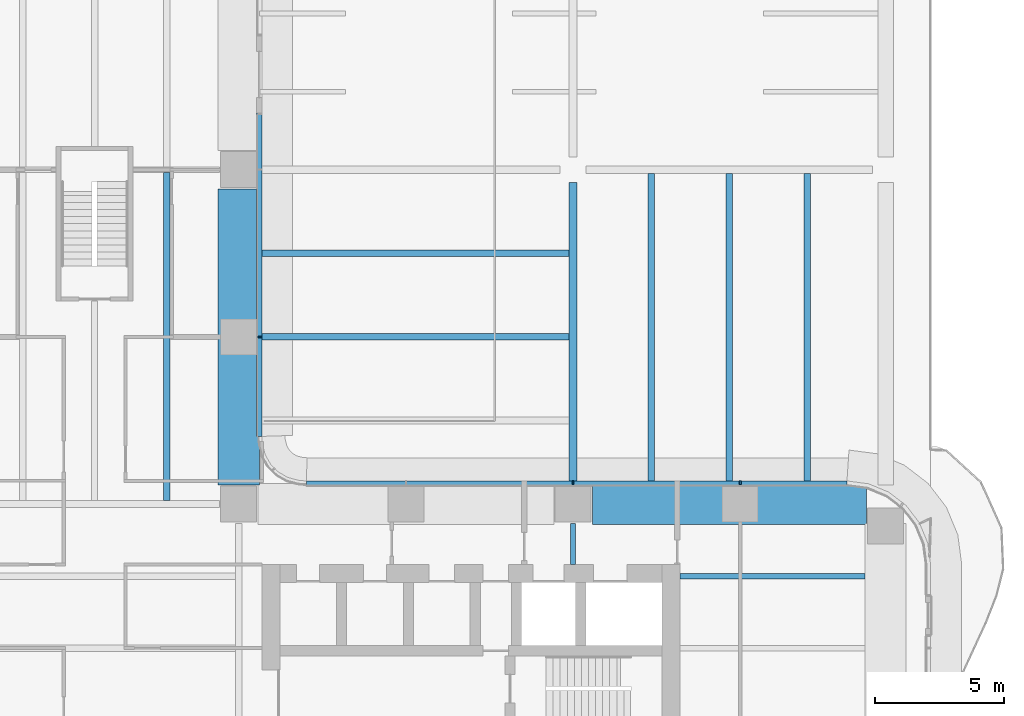
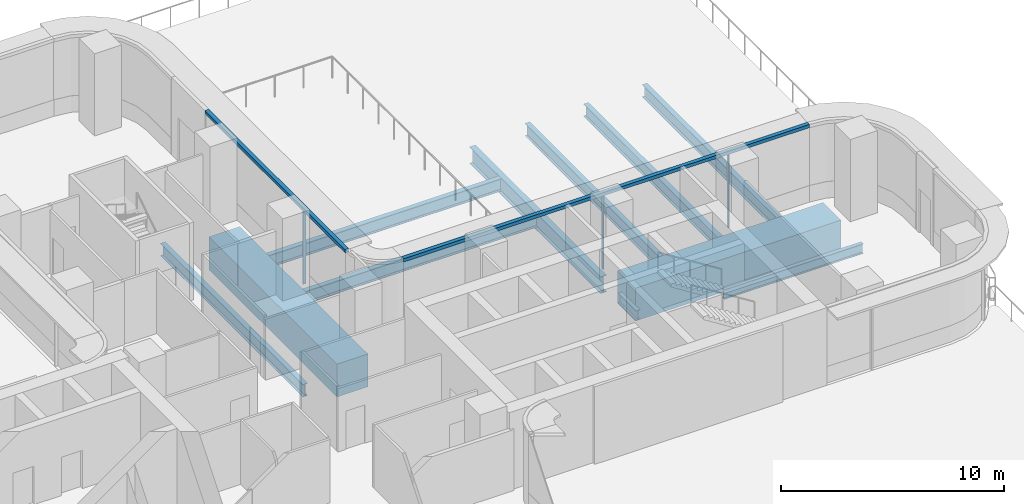
# One storey, part 14 of 29: 11 beams, 5 members, 2 elements without a shape of their own.
"""IFC4 building model written with IfcOpenShell, lengths in metres."""

import ifcopenshell
import ifcopenshell.guid

model = None  # the IFC model being written
_history = None  # IfcOwnerHistory: only IFC2X3 demands one
_inside = {}  # id of a spatial element -> (the spatial element, [elements in it])
_under = {}  # id of a project, library or spatial element -> (it, [spatial elements below it])
_declared = {}  # id of a project -> (the project, [libraries it declares])
_typed = {}  # id of a type object -> (the type object, [elements of that type])
_made_of = {}  # id of a material, layer set ... -> (it, [elements and type objects made of it])


def new_model(schema):
    """Start an empty IFC model of exactly this schema.

    Asked for "IFC4X3", IfcOpenShell would pick the latest addendum, in which some entities
    have other attributes; the version numbers below select the first issue.
    IFC2X3 requires an IfcOwnerHistory on every rooted entity: one is made here for all.
    """
    global model, _history
    if schema == "IFC4X3":
        model = ifcopenshell.file(schema_version=(4, 3, 0, 0))
    else:
        model = ifcopenshell.file(schema=schema)
    _inside.clear()
    _under.clear()
    _declared.clear()
    _typed.clear()
    _made_of.clear()
    _history = None
    if model.schema == "IFC2X3":
        org = make("IfcOrganization", Name="unknown")
        user = make(
            "IfcPersonAndOrganization",
            ThePerson=make("IfcPerson", FamilyName="unknown"),
            TheOrganization=org,
        )
        app = make(
            "IfcApplication",
            ApplicationDeveloper=org,
            Version="unknown",
            ApplicationFullName="unknown",
            ApplicationIdentifier="unknown",
        )
        _history = make(
            "IfcOwnerHistory",
            OwningUser=user,
            OwningApplication=app,
            ChangeAction="ADDED",
            CreationDate=0,
        )
    return model


def make(cls, **values):
    """One entity of the class cls with the attributes given. An attribute that is None is left unset."""
    return model.create_entity(
        cls, **{name: value for name, value in values.items() if value is not None}
    )


def rooted(cls, **values):
    """An entity with a GlobalId (a new one), such as an element, a storey or a relation."""
    return make(cls, GlobalId=ifcopenshell.guid.new(), OwnerHistory=_history, **values)


def si_unit(unit_type, name, prefix=None):
    """IfcSIUnit, for example si_unit("LENGTHUNIT", "METRE", prefix="MILLI")."""
    return make("IfcSIUnit", UnitType=unit_type, Prefix=prefix, Name=name)


def assignment(units):
    """IfcUnitAssignment: the units of a project."""
    return None if units is None else make("IfcUnitAssignment", Units=units)


def point(xyz):
    """IfcCartesianPoint."""
    return None if xyz is None else make("IfcCartesianPoint", Coordinates=xyz)


def direction(xyz):
    """IfcDirection."""
    return None if xyz is None else make("IfcDirection", DirectionRatios=xyz)


def frame(location, z_axis=None, x_axis=None):
    """IfcAxis2Placement3D, a coordinate frame: its origin and axes. An axis left out is left unset."""
    return make(
        "IfcAxis2Placement3D",
        Location=point(location),
        Axis=direction(z_axis),
        RefDirection=direction(x_axis),
    )


def frame_2d(location, x_axis=None):
    """IfcAxis2Placement2D, a coordinate frame in the plane: its origin and x axis."""
    return make(
        "IfcAxis2Placement2D", Location=point(location), RefDirection=direction(x_axis)
    )


def origin():
    """The frame at (0, 0, 0) with its axes left unset."""
    return frame((0.0, 0.0, 0.0))


def origin_2d():
    """The frame at (0, 0) in the plane with its x axis left unset."""
    return frame_2d((0.0, 0.0))


def place(relative_to, where):
    """IfcLocalPlacement: puts the frame where relative to a parent placement (None: the world)."""
    return make(
        "IfcLocalPlacement", PlacementRelTo=relative_to, RelativePlacement=where
    )


def context(
    kind, dimensions, precision=None, world=None, true_north=None, identifier=None
):
    """IfcGeometricRepresentationContext, for example the 3D "Model" context."""
    return make(
        "IfcGeometricRepresentationContext",
        ContextIdentifier=identifier,
        ContextType=kind,
        CoordinateSpaceDimension=dimensions,
        Precision=precision,
        WorldCoordinateSystem=world,
        TrueNorth=true_north,
    )


def subcontext(parent, identifier, kind, view, scale=None):
    """IfcGeometricRepresentationSubContext, for example "Body" below "Model"."""
    return make(
        "IfcGeometricRepresentationSubContext",
        ContextIdentifier=identifier,
        ContextType=kind,
        ParentContext=parent,
        TargetScale=scale,
        TargetView=view,
    )


def project(units=None, contexts=None):
    """IfcProject with its units and contexts."""
    return rooted(
        "IfcProject",
        Name="project",
        RepresentationContexts=contexts,
        UnitsInContext=assignment(units),
    )


def spatial(cls, under=None, at=None, **own):
    """A site, building, storey or space (cls), placed at a placement, below another one or the project."""
    s = rooted(cls, ObjectPlacement=at, **own)
    if under is not None:
        _under.setdefault(under.id(), (under, []))[1].append(s)
    return s


def polyline(points):
    """IfcPolyline through the points."""
    return make("IfcPolyline", Points=[point(p) for p in points])


def profile(cls, at=None, kind="AREA", **sizes):
    """A parametric profile (cls). Its sizes go by their IFC names, for example OverallWidth=200.0."""
    return make(cls, ProfileType=kind, Position=at, **sizes)


def rectangle(**sizes):
    """IfcRectangleProfileDef."""
    return profile("IfcRectangleProfileDef", **sizes)


def i_section(**sizes):
    """IfcIShapeProfileDef."""
    return profile("IfcIShapeProfileDef", **sizes)


def outline(outer, holes=None, kind="AREA"):
    """IfcArbitraryClosedProfileDef: a profile drawn as a closed curve; with holes, ...WithVoids."""
    if holes is None:
        return make("IfcArbitraryClosedProfileDef", ProfileType=kind, OuterCurve=outer)
    return make(
        "IfcArbitraryProfileDefWithVoids",
        ProfileType=kind,
        OuterCurve=outer,
        InnerCurves=holes,
    )


def extrude(swept, where, along, depth):
    """IfcExtrudedAreaSolid: the profile swept, set in the frame where, extruded along a direction by depth."""
    return make(
        "IfcExtrudedAreaSolid",
        SweptArea=swept,
        Position=where,
        ExtrudedDirection=direction(along),
        Depth=depth,
    )


def shape(context_of_items, identifier, shape_type, items):
    """IfcShapeRepresentation: the items that make up one representation, for example the "Body"."""
    return make(
        "IfcShapeRepresentation",
        ContextOfItems=context_of_items,
        RepresentationIdentifier=identifier,
        RepresentationType=shape_type,
        Items=items,
    )


def source(mapping_origin, context_of_items, identifier, shape_type, items):
    """IfcRepresentationMap: a shape defined once, which mapped items show again and again."""
    return make(
        "IfcRepresentationMap",
        MappingOrigin=mapping_origin,
        MappedRepresentation=shape(context_of_items, identifier, shape_type, items),
    )


def transform(
    local_origin,
    x_axis=None,
    y_axis=None,
    z_axis=None,
    scale=None,
    scale2=None,
    scale3=None,
    uniform=True,
):
    """IfcCartesianTransformationOperator3D, or its non-uniform kind. x_axis, y_axis, z_axis: its Axis1, 2, 3."""
    if uniform:
        return make(
            "IfcCartesianTransformationOperator3D",
            Axis1=direction(x_axis),
            Axis2=direction(y_axis),
            LocalOrigin=point(local_origin),
            Scale=scale,
            Axis3=direction(z_axis),
        )
    return make(
        "IfcCartesianTransformationOperator3DnonUniform",
        Axis1=direction(x_axis),
        Axis2=direction(y_axis),
        LocalOrigin=point(local_origin),
        Scale=scale,
        Axis3=direction(z_axis),
        Scale2=scale2,
        Scale3=scale3,
    )


def mapped(mapping_source, mapping_target):
    """IfcMappedItem: shows the shape of a source again, moved by a transform."""
    return make(
        "IfcMappedItem", MappingSource=mapping_source, MappingTarget=mapping_target
    )


def material(Name=None, Category=None):
    """IfcMaterial."""
    return make("IfcMaterial", Name=Name, Category=Category)


def layer(
    of_material, thickness, ventilated=None, Name=None, Category=None, Priority=None
):
    """IfcMaterialLayer: one layer of a wall or slab, of a material (None: an air gap)."""
    return make(
        "IfcMaterialLayer",
        Material=of_material,
        LayerThickness=thickness,
        IsVentilated=ventilated,
        Name=Name,
        Category=Category,
        Priority=Priority,
    )


def layer_set(layers, Name=None):
    """IfcMaterialLayerSet."""
    return make("IfcMaterialLayerSet", MaterialLayers=layers, LayerSetName=Name)


def material_profile(
    of_material, cross_section, Name=None, Category=None, Priority=None
):
    """IfcMaterialProfile: a cross section and its material."""
    return make(
        "IfcMaterialProfile",
        Name=Name,
        Material=of_material,
        Profile=cross_section,
        Priority=Priority,
        Category=Category,
    )


def profile_set(profiles, Name=None, composite=None):
    """IfcMaterialProfileSet."""
    return make(
        "IfcMaterialProfileSet",
        Name=Name,
        MaterialProfiles=profiles,
        CompositeProfile=composite,
    )


def made_of(thing, what):
    """Note that an element or type object is made of a material, layer set ...; save() writes the relation."""
    if what is not None:
        _made_of.setdefault(what.id(), (what, []))[1].append(thing)
    return thing


def type_object(cls, material=None, **own):
    """A type object (cls), such as IfcWallType, which elements share."""
    return made_of(rooted(cls, **own), material)


def element(
    cls,
    number,
    at=None,
    inside=None,
    cuts=None,
    type_object=None,
    material=None,
    context=None,
    identifier="Body",
    shape_type=None,
    held_by="IfcProductDefinitionShape",
    body=None,
    shapes=None,
    **own,
):
    """One element of the class cls, such as IfcWall. Its Tag is "e" and its number.

    at: its placement. inside: the storey or other place that contains it. cuts: it is an
    opening in that element (IfcRelVoidsElement). A single representation is given by context,
    identifier, shape_type and body (its items); several are given by shapes. held_by: the class
    of the entity that holds the representations. save() writes the other relations.
    """
    e = rooted(cls, Tag="e%d" % number, ObjectPlacement=at, **own)
    if body is not None:
        shapes = [shape(context, identifier, shape_type, body)]
    if shapes is not None:
        e.Representation = make(held_by, Representations=shapes)
    if inside is not None:
        _inside.setdefault(inside.id(), (inside, []))[1].append(e)
    if cuts is not None:
        rooted(
            "IfcRelVoidsElement", RelatingBuildingElement=cuts, RelatedOpeningElement=e
        )
    if type_object is not None:
        _typed.setdefault(type_object.id(), (type_object, []))[1].append(e)
    return made_of(e, material)


def aggregate(whole, parts):
    """IfcRelAggregates: a whole, such as a stair, and the parts it consists of."""
    return rooted("IfcRelAggregates", RelatingObject=whole, RelatedObjects=parts)


def save(model, path):
    """Write the relations noted so far, then the file.

    IfcRelAggregates (storeys below a building ...), IfcRelContainedInSpatialStructure (elements
    in a storey), IfcRelDefinesByType, IfcRelAssociatesMaterial and IfcRelDeclares: one each for
    every whole, place, type object, material and project.
    """
    for whole, parts in _under.values():
        aggregate(whole, parts)
    for where, things in _inside.values():
        rooted(
            "IfcRelContainedInSpatialStructure",
            RelatedElements=things,
            RelatingStructure=where,
        )
    for kind, things in _typed.values():
        rooted("IfcRelDefinesByType", RelatedObjects=things, RelatingType=kind)
    for what, things in _made_of.values():
        rooted("IfcRelAssociatesMaterial", RelatedObjects=things, RelatingMaterial=what)
    for by, libraries in _declared.values():
        rooted("IfcRelDeclares", RelatingContext=by, RelatedDefinitions=libraries)
    model.write(path)


model = new_model("IFC4")

# Units and contexts
model_context = context("Model", 3, precision=1e-05, world=origin(), true_north=direction((0.0, 1.0)))
body_context = subcontext(model_context, "Body", "Model", "MODEL_VIEW")
ifc_project = project(units=[si_unit("LENGTHUNIT", "METRE"), si_unit("AREAUNIT", "SQUARE_METRE"), si_unit("VOLUMEUNIT", "CUBIC_METRE"), si_unit("PLANEANGLEUNIT", "RADIAN"), si_unit("MASSUNIT", "GRAM", prefix="KILO")], contexts=[model_context])

# Site, building, storey
site_placement = place(None, origin())
site = spatial("IfcSite", under=ifc_project, at=site_placement, CompositionType="ELEMENT")
building_placement = place(site_placement, origin())
building = spatial("IfcBuilding", under=site, at=building_placement, Name="Trellis Farm Tower", CompositionType="ELEMENT")
storey_placement = place(building_placement, frame((0.0, 0.0, 34.0)))
storey = spatial("IfcBuildingStorey", under=building, at=storey_placement, Name="L06", CompositionType="ELEMENT", Elevation=34.0)

# Beams
ifc_material_1 = material(Name="Steel S355", Category="steel")
ifc_material_profile_1 = material_profile(ifc_material_1, i_section(OverallWidth=0.253662109375, OverallDepth=0.68359375, WebThickness=0.012451171875, FlangeThickness=0.021728515625, FilletRadius=0.01513671875, at=origin_2d()), Name="UB 686x254x140")
ifc_profile_set_1 = profile_set([ifc_material_profile_1], Name="Steel S355")
beam_type_1 = type_object("IfcBeamType", Name="UB 686x254x140 joist", PredefinedType="JOIST", material=ifc_profile_set_1)
shared_shape_1 = source(origin(), body_context, "Body", "SweptSolid", [
    extrude(i_section(OverallWidth=0.253662109375, OverallDepth=0.68359375, WebThickness=0.012451171875, FlangeThickness=0.021728515625, FilletRadius=0.01513671875, at=origin_2d()), origin(), (0.0, 0.0, 1.0), 12.761962890625),
])
beam_1_placement = place(storey_placement, frame((2.800048828125, 5.7333984375, -0.691650390625), z_axis=(0.0, 1.0, 0.0), x_axis=(-1.0, 0.0, 0.0)))
element("IfcBeam", 1, at=beam_1_placement, inside=storey, type_object=beam_type_1, Name="Floor beam", PredefinedType="JOIST", context=body_context, shape_type="MappedRepresentation", body=[
    mapped(shared_shape_1, transform((0.0, 0.0, 0.0))),
])
ifc_material_profile_2 = material_profile(ifc_material_1, i_section(OverallWidth=0.209228515625, OverallDepth=0.533203125, WebThickness=0.010009765625, FlangeThickness=0.015625, FilletRadius=0.0126953125, at=origin_2d()), Name="UB 533x210x92")
ifc_profile_set_2 = profile_set([ifc_material_profile_2], Name="Steel S355")
beam_type_2 = type_object("IfcBeamType", Name="UB 533x210x92", PredefinedType="BEAM", material=ifc_profile_set_2)
shared_shape_2 = source(origin(), body_context, "Body", "SweptSolid", [
    extrude(i_section(OverallWidth=0.209228515625, OverallDepth=0.533203125, WebThickness=0.010009765625, FlangeThickness=0.015625, FilletRadius=0.0126953125, at=origin_2d()), origin(), (0.0, 0.0, 1.0), 1.60009765625),
])
beam_2_placement = place(storey_placement, frame((18.60009765625, 3.25, -0.61669921875), z_axis=(0.0, 1.0, 0.0), x_axis=(-1.0, 0.0, 0.0)))
element("IfcBeam", 2, at=beam_2_placement, inside=storey, type_object=beam_type_2, Name="Girder", PredefinedType="BEAM", context=body_context, shape_type="MappedRepresentation", body=[
    mapped(shared_shape_2, transform((0.0, 0.0, 0.0))),
])
ifc_material_profile_3 = material_profile(ifc_material_1, i_section(OverallWidth=0.305419921875, OverallDepth=0.91845703125, WebThickness=0.017333984375, FlangeThickness=0.02783203125, FilletRadius=0.01904296875, at=origin_2d()), Name="UB 914x305x253")
ifc_profile_set_3 = profile_set([ifc_material_profile_3], Name="Steel S355")
beam_type_3 = type_object("IfcBeamType", Name="UB 914x305x253", PredefinedType="BEAM", material=ifc_profile_set_3)
shared_shape_3 = source(origin(), body_context, "Body", "SweptSolid", [
    extrude(i_section(OverallWidth=0.305419921875, OverallDepth=0.91845703125, WebThickness=0.017333984375, FlangeThickness=0.02783203125, FilletRadius=0.01904296875, at=origin_2d()), origin(), (0.0, 0.0, 1.0), 11.75),
])
beam_3_placement = place(storey_placement, frame((18.60009765625, 6.35009765625, -0.80908203125), z_axis=(0.0, 1.0, 0.0), x_axis=(-1.0, 0.0, 0.0)))
element("IfcBeam", 3, at=beam_3_placement, inside=storey, type_object=beam_type_3, Name="Girder", PredefinedType="BEAM", context=body_context, shape_type="MappedRepresentation", body=[
    mapped(shared_shape_3, transform((0.0, 0.0, 0.0))),
])
ifc_material_2 = material(Name="Concrete C80/95", Category="concrete")
ifc_material_profile_4 = material_profile(ifc_material_2, rectangle(XDim=1.60009765625, YDim=1.800048828125, at=origin_2d()), Name="RC transfer beam 1600x1800 C80/95")
ifc_profile_set_4 = profile_set([ifc_material_profile_4], Name="Concrete C80/95")
beam_type_4 = type_object("IfcBeamType", Name="RC transfer beam 1600x1800 C80/95", PredefinedType="BEAM", material=ifc_profile_set_4)
shared_shape_4 = source(origin(), body_context, "Body", "SweptSolid", [
    extrude(rectangle(XDim=1.60009765625, YDim=1.800048828125, at=origin_2d()), origin(), (0.0, 0.0, 1.0), 11.5),
])
beam_4_placement = place(storey_placement, frame((5.60009765625, 6.35009765625, -1.25), z_axis=(0.0, 1.0, 0.0), x_axis=(-1.0, 0.0, 0.0)))
element("IfcBeam", 4, at=beam_4_placement, inside=storey, type_object=beam_type_4, Name="Transfer girder", PredefinedType="BEAM", context=body_context, shape_type="MappedRepresentation", body=[
    mapped(shared_shape_4, transform((0.0, 0.0, 0.0))),
])
shared_shape_5 = source(origin(), body_context, "Body", "SweptSolid", [
    extrude(rectangle(XDim=1.60009765625, YDim=1.800048828125, at=origin_2d()), origin(), (0.0, 0.0, 1.0), 10.64990234375),
])
beam_5_placement = place(storey_placement, frame((19.35009765625, 5.60009765625, -1.25), z_axis=(1.0, 0.0, 0.0), x_axis=(0.0, 1.0, 0.0)))
element("IfcBeam", 5, at=beam_5_placement, inside=storey, type_object=beam_type_4, Name="Transfer girder", PredefinedType="BEAM", context=body_context, shape_type="MappedRepresentation", body=[
    mapped(shared_shape_5, transform((0.0, 0.0, 0.0))),
])
shared_shape_6 = source(origin(), body_context, "Body", "SweptSolid", [
    extrude(i_section(OverallWidth=0.253662109375, OverallDepth=0.68359375, WebThickness=0.012451171875, FlangeThickness=0.021728515625, FilletRadius=0.01513671875, at=origin_2d()), origin(), (0.0, 0.0, 1.0), 12.04736328125),
])
for number, where, z_axis, x_axis, name in (
    (6, (6.39990234375, 12.10009765625, -0.691650390625), (1.0, 0.0, 0.0), (0.0, 1.0, 0.0), "Floor beam"),
    (7, (6.39990234375, 15.35009765625, -0.691650390625), (1.0, 0.0, 0.0), (0.0, 1.0, 0.0), "Floor beam"),
    (8, (21.637451171875, 6.39990234375, -0.691650390625), (0.0, 1.0, 0.0), (-1.0, 0.0, 0.0), "Floor beam"),
    (9, (24.675048828125, 6.39990234375, -0.691650390625), (0.0, 1.0, 0.0), (-1.0, 0.0, 0.0), "Floor beam"),
    (10, (27.71240234375, 6.39990234375, -0.691650390625), (0.0, 1.0, 0.0), (-1.0, 0.0, 0.0), "Floor beam"),
):
    element("IfcBeam", number, at=place(storey_placement, frame(where, z_axis=z_axis, x_axis=x_axis)), inside=storey, type_object=beam_type_1, Name=name, PredefinedType="JOIST", context=body_context, shape_type="MappedRepresentation", body=[
        mapped(shared_shape_6, transform((0.0, 0.0, 0.0))),
    ])
ifc_material_profile_5 = material_profile(ifc_material_1, i_section(OverallWidth=0.209228515625, OverallDepth=0.533203125, WebThickness=0.010009765625, FlangeThickness=0.015625, FilletRadius=0.0126953125, at=origin_2d()), Name="UB 533x210x92")
ifc_profile_set_5 = profile_set([ifc_material_profile_5], Name="Steel S355")
beam_type_5 = type_object("IfcBeamType", Name="UB 533x210x92 joist", PredefinedType="JOIST", material=ifc_profile_set_5)
shared_shape_7 = source(origin(), body_context, "Body", "SweptSolid", [
    extrude(i_section(OverallWidth=0.209228515625, OverallDepth=0.533203125, WebThickness=0.010009765625, FlangeThickness=0.015625, FilletRadius=0.0126953125, at=origin_2d()), origin(), (0.0, 0.0, 1.0), 7.199951171875),
])
beam_6_placement = place(storey_placement, frame((22.75, 2.800048828125, -0.61669921875), z_axis=(1.0, 0.0, 0.0), x_axis=(0.0, 1.0, 0.0)))
element("IfcBeam", 11, at=beam_6_placement, inside=storey, type_object=beam_type_5, Name="Floor beam", PredefinedType="JOIST", context=body_context, shape_type="MappedRepresentation", body=[
    mapped(shared_shape_7, transform((0.0, 0.0, 0.0))),
])

# Curtain wall, members
ifc_material_3 = material(Name="Aluminium and glass curtain wall", Category="aluminium")
ifc_layer_1 = layer(ifc_material_3, 0.18994140625)
ifc_layer_set_1 = layer_set([ifc_layer_1], Name="RIBBON CURTAIN WALL CW1")
curtain_wall_type = type_object("IfcCurtainWallType", Name="RIBBON CURTAIN WALL CW1", PredefinedType="NOTDEFINED", material=ifc_layer_set_1)
placement_1 = place(storey_placement, origin())
curtain_wall_1 = element("IfcCurtainWall", 12, at=placement_1, inside=storey, type_object=curtain_wall_type, Name="CW1 009", PredefinedType="NOTDEFINED")
ifc_material_4 = material(Name="Aluminium extrusion 6063-T6", Category="aluminium")
ifc_material_profile_6 = material_profile(ifc_material_4, rectangle(XDim=0.06005859375, YDim=0.14990234375, at=origin_2d()), Name="MULLION 60x150")
ifc_profile_set_6 = profile_set([ifc_material_profile_6], Name="Aluminium extrusion 6063-T6")
member_type_1 = type_object("IfcMemberType", Name="CW1 MULLION 60x150", PredefinedType="MULLION", material=ifc_profile_set_6)
shared_shape_8 = source(origin(), body_context, "Body", "SweptSolid", [
    extrude(rectangle(XDim=0.06005859375, YDim=0.14990234375, at=origin_2d()), origin(), (0.0, 0.0, 1.0), 4.070068359375),
])
member_1_placement = place(storey_placement, frame((25.10009765625, 6.425048828125, 0.0), z_axis=(0.0, 0.0, 1.0), x_axis=(-1.0, 0.0, 0.0)))
member_1 = element("IfcMember", 13, at=member_1_placement, type_object=member_type_1, Name="MU1 009-01", PredefinedType="MULLION", context=body_context, shape_type="MappedRepresentation", body=[
    mapped(shared_shape_8, transform((0.0, 0.0, 0.0))),
])
member_2_placement = place(storey_placement, frame((18.60009765625, 6.425048828125, 0.0), z_axis=(0.0, 0.0, 1.0), x_axis=(-1.0, 0.0, 0.0)))
member_2 = element("IfcMember", 14, at=member_2_placement, type_object=member_type_1, Name="MU1 009-02", PredefinedType="MULLION", context=body_context, shape_type="MappedRepresentation", body=[
    mapped(shared_shape_8, transform((0.0, 0.0, 0.0))),
])

# Curtain wall, member
curtain_wall_2 = element("IfcCurtainWall", 15, at=placement_1, inside=storey, type_object=curtain_wall_type, Name="CW1 010", PredefinedType="NOTDEFINED")
member_3_placement = place(storey_placement, frame((6.425048828125, 12.10009765625, 0.0), z_axis=(0.0, 0.0, 1.0), x_axis=(0.0, 1.0, 0.0)))
member_3 = element("IfcMember", 16, at=member_3_placement, type_object=member_type_1, Name="MU1 010-01", PredefinedType="MULLION", context=body_context, shape_type="MappedRepresentation", body=[
    mapped(shared_shape_8, transform((0.0, 0.0, 0.0))),
])

# Member
ifc_layer_2 = layer(ifc_material_4, 0.199951171875)
ifc_layer_set_2 = layer_set([ifc_layer_2], Name="Aluminium extrusion 6063-T6")
member_type_2 = type_object("IfcMemberType", Name="CW1 TRANSOM 200x180", PredefinedType="USERDEFINED", material=ifc_layer_set_2)
shared_shape_9 = source(origin(), body_context, "Body", "SweptSolid", [
    extrude(outline(polyline([(29.25, 6.5), (8.2314453125, 6.5), (8.224853515625, 6.300048828125), (29.23681640625, 6.300048828125), (29.25, 6.5)])), origin(), (0.0, 0.0, 1.0), 0.179931640625),
])
placement_2 = place(storey_placement, frame((0.0, 0.0, 4.070068359375)))
member_4 = element("IfcMember", 17, at=placement_2, type_object=member_type_2, Name="TR1 009", ObjectType="TRANSOM", PredefinedType="USERDEFINED", context=body_context, shape_type="MappedRepresentation", body=[
    mapped(shared_shape_9, transform((0.0, 0.0, 0.0))),
])

aggregate(curtain_wall_1, [member_1, member_2, member_4])

shared_shape_10 = source(origin(), body_context, "Body", "SweptSolid", [
    extrude(outline(polyline([(6.5, 8.2314453125), (6.5, 20.800048828125), (6.300048828125, 20.800048828125), (6.300048828125, 8.224853515625), (6.5, 8.2314453125)])), origin(), (0.0, 0.0, 1.0), 0.179931640625),
])
member_5 = element("IfcMember", 18, at=placement_2, type_object=member_type_2, Name="TR1 010", ObjectType="TRANSOM", PredefinedType="USERDEFINED", context=body_context, shape_type="MappedRepresentation", body=[
    mapped(shared_shape_10, transform((0.0, 0.0, 0.0))),
])

aggregate(curtain_wall_2, [member_3, member_5])

save(model, "model.ifc")
